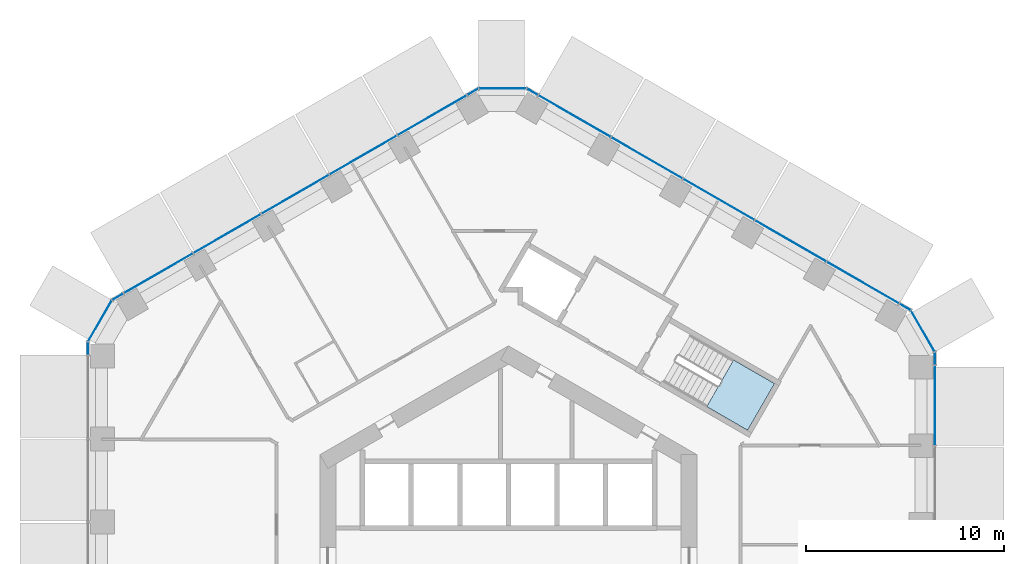
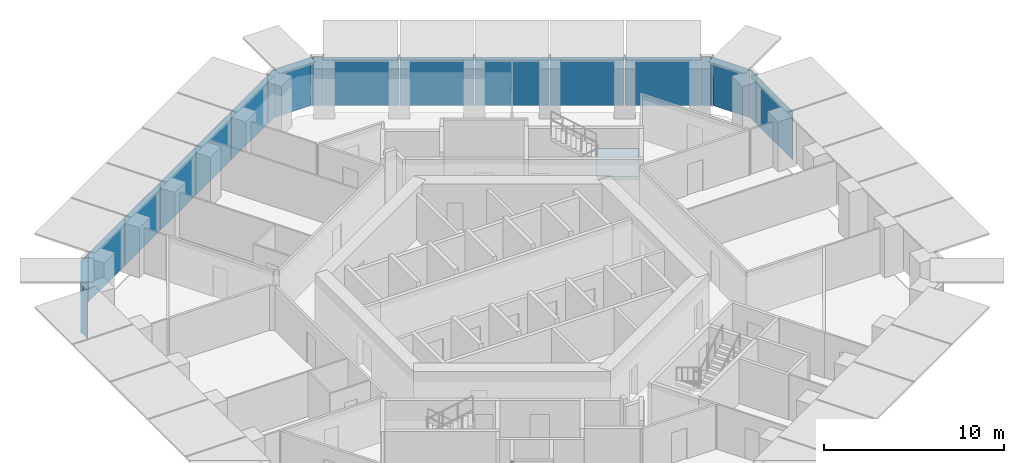
# One storey, part 11 of 19: 20 plates, 1 slab, 7 elements without a shape of their own.
"""IFC4 building model written with IfcOpenShell, lengths in metres."""

from ifc_helpers import new_model, si_unit, direction, frame, origin, origin_2d, place, context, subcontext, project, spatial, polyline, rectangle, outline, extrude, material, layer, layer_set, type_object, element, aggregate, save


model = new_model("IFC4")

# Units and contexts
model_context = context("Model", 3, precision=1e-05, world=origin(), true_north=direction((0.0, 1.0)))
body_context = subcontext(model_context, "Body", "Model", "MODEL_VIEW")
ifc_project = project(units=[si_unit("LENGTHUNIT", "METRE"), si_unit("AREAUNIT", "SQUARE_METRE"), si_unit("VOLUMEUNIT", "CUBIC_METRE"), si_unit("PLANEANGLEUNIT", "RADIAN"), si_unit("MASSUNIT", "GRAM", prefix="KILO")], contexts=[model_context])

# Site, building, storey
site_placement = place(None, origin())
site = spatial("IfcSite", under=ifc_project, at=site_placement, CompositionType="ELEMENT")
building_placement = place(site_placement, origin())
building = spatial("IfcBuilding", under=site, at=building_placement, Name="Ayvan Gate Tower", CompositionType="ELEMENT")
storey_placement = place(building_placement, frame((0.0, 0.0, 42.5)))
storey = spatial("IfcBuildingStorey", under=building, at=storey_placement, Name="L10", CompositionType="ELEMENT", Elevation=42.5)

# Stair, slab
ifc_material_1 = material(Name="Concrete C40/50", Category="concrete")
stair_type = type_object("IfcStairType", Name="ST-EXIT", PredefinedType="HALF_TURN_STAIR", material=ifc_material_1)
stair_placement = place(storey_placement, origin())
stair = element("IfcStair", 1, at=stair_placement, inside=storey, type_object=stair_type, Name="L10 Exit Stair S1", PredefinedType="HALF_TURN_STAIR")
ifc_layer_1 = layer(ifc_material_1, 0.199951171875)
ifc_layer_set_1 = layer_set([ifc_layer_1], Name="Concrete C40/50")
slab_type = type_object("IfcSlabType", Name="SL-LANDING-200", PredefinedType="LANDING", material=ifc_layer_set_1)
slab_placement = place(storey_placement, frame((0.0, 0.0, 1.5)))
slab = element("IfcSlab", 2, at=slab_placement, type_object=slab_type, Name="STS1 landing 1", PredefinedType="LANDING", context=body_context, shape_type="SweptSolid", body=[
    extrude(outline(polyline([(9.988525390625, 7.91064453125), (12.049560546875, 6.720458984375), (13.404541015625, 9.0673828125), (11.343505859375, 10.257568359375), (9.988525390625, 7.91064453125)])), origin(), (0.0, 0.0, 1.0), 0.199951171875),
])
aggregate(stair, [slab])

# Curtain wall, plates
ifc_material_2 = material(Name="Bronze anodised aluminium", Category="aluminium")
ifc_layer_2 = layer(ifc_material_2, 0.199951171875)
ifc_layer_set_2 = layer_set([ifc_layer_2], Name="Bronze anodised aluminium")
curtain_wall_type_1 = type_object("IfcCurtainWallType", Name="Stick curtain wall CW-1", PredefinedType="NOTDEFINED", material=ifc_layer_set_2)
curtain_wall_1_placement = place(storey_placement, origin())
curtain_wall_1 = element("IfcCurtainWall", 3, at=curtain_wall_1_placement, inside=storey, type_object=curtain_wall_type_1, Name="Stick curtain wall CW-1 L10", PredefinedType="NOTDEFINED")
ifc_material_3 = material(Name="Clear low-iron laminated glass", Category="glass")
ifc_layer_3 = layer(ifc_material_3, 0.028076171875)
ifc_layer_set_3 = layer_set([ifc_layer_3], Name="Clear low-iron laminated glass")
plate_type_1 = type_object("IfcPlateType", Name="Stick curtain wall CW-1 glass panel", PredefinedType="CURTAIN_PANEL", material=ifc_layer_set_3)
plate_1_placement = place(storey_placement, frame((-3.8349609375, 22.59423828125, 0.0), z_axis=(0.0, 0.0, 1.0), x_axis=(-0.866025403784, -0.5, 0.0)))
plate_1 = element("IfcPlate", 4, at=plate_1_placement, type_object=plate_type_1, Name="CW-1 glass panel 1", PredefinedType="CURTAIN_PANEL", context=body_context, shape_type="SweptSolid", body=[
    extrude(rectangle(XDim=4.02294921875, YDim=0.028076171875, at=origin_2d()), origin(), (0.0, 0.0, 1.0), 3.280029296875),
])
plate_2_placement = place(storey_placement, frame((-7.31591796875, 20.58447265625, 0.0), z_axis=(0.0, 0.0, 1.0), x_axis=(-0.866025403784, -0.5, 0.0)))
plate_2 = element("IfcPlate", 5, at=plate_2_placement, type_object=plate_type_1, Name="CW-1 glass panel 2", PredefinedType="CURTAIN_PANEL", context=body_context, shape_type="SweptSolid", body=[
    extrude(rectangle(XDim=3.89599609375, YDim=0.028076171875, at=origin_2d()), origin(), (0.0, 0.0, 1.0), 3.280029296875),
])
plate_3_placement = place(storey_placement, frame((-10.742431640625, 18.606201171875, 0.0), z_axis=(0.0, 0.0, 1.0), x_axis=(-0.866025403784, -0.5, 0.0)))
plate_3 = element("IfcPlate", 6, at=plate_3_placement, type_object=plate_type_1, Name="CW-1 glass panel 3", PredefinedType="CURTAIN_PANEL", context=body_context, shape_type="SweptSolid", body=[
    extrude(rectangle(XDim=3.89697265625, YDim=0.028076171875, at=origin_2d()), origin(), (0.0, 0.0, 1.0), 3.280029296875),
])
plate_4_placement = place(storey_placement, frame((-14.168701171875, 16.6279296875, 0.0), z_axis=(0.0, 0.0, 1.0), x_axis=(-0.866025403784, -0.5, 0.0)))
plate_4 = element("IfcPlate", 7, at=plate_4_placement, type_object=plate_type_1, Name="CW-1 glass panel 4", PredefinedType="CURTAIN_PANEL", context=body_context, shape_type="SweptSolid", body=[
    extrude(rectangle(XDim=3.89599609375, YDim=0.028076171875, at=origin_2d()), origin(), (0.0, 0.0, 1.0), 3.280029296875),
])
plate_5_placement = place(storey_placement, frame((-17.649658203125, 14.6181640625, 0.0), z_axis=(0.0, 0.0, 1.0), x_axis=(-0.866025403784, -0.5, 0.0)))
plate_5 = element("IfcPlate", 8, at=plate_5_placement, type_object=plate_type_1, Name="CW-1 glass panel 5", PredefinedType="CURTAIN_PANEL", context=body_context, shape_type="SweptSolid", body=[
    extrude(rectangle(XDim=4.02294921875, YDim=0.028076171875, at=origin_2d()), origin(), (0.0, 0.0, 1.0), 3.280029296875),
])
aggregate(curtain_wall_1, [plate_1, plate_2, plate_3, plate_4, plate_5])

# Curtain wall, plate
curtain_wall_2_placement = place(storey_placement, origin())
curtain_wall_2 = element("IfcCurtainWall", 9, at=curtain_wall_2_placement, inside=storey, type_object=curtain_wall_type_1, Name="Stick curtain wall CW-1 L10", PredefinedType="NOTDEFINED")
plate_6_placement = place(storey_placement, frame((21.484619140625, 7.97607421875, 0.0), z_axis=(0.0, 0.0, 1.0), x_axis=(0.0, 1.0, 0.0)))
plate_6 = element("IfcPlate", 10, at=plate_6_placement, type_object=plate_type_1, Name="CW-1 glass panel 5", PredefinedType="CURTAIN_PANEL", context=body_context, shape_type="SweptSolid", body=[
    extrude(rectangle(XDim=4.02294921875, YDim=0.028076171875, at=origin_2d()), origin(), (0.0, 0.0, 1.0), 3.280029296875),
])
aggregate(curtain_wall_2, [plate_6])

# Curtain wall, plates
curtain_wall_3_placement = place(storey_placement, origin())
curtain_wall_3 = element("IfcCurtainWall", 11, at=curtain_wall_3_placement, inside=storey, type_object=curtain_wall_type_1, Name="Stick curtain wall CW-1 L10", PredefinedType="NOTDEFINED")
plate_7_placement = place(storey_placement, frame((17.87060546875, 14.14794921875, 0.0), z_axis=(0.0, 0.0, 1.0), x_axis=(-0.866025403784, 0.5, 0.0)))
plate_7 = element("IfcPlate", 12, at=plate_7_placement, type_object=plate_type_1, Name="CW-1 glass panel 1", PredefinedType="CURTAIN_PANEL", context=body_context, shape_type="SweptSolid", body=[
    extrude(rectangle(XDim=4.197998046875, YDim=0.028076171875, at=origin_2d()), origin(), (0.0, 0.0, 1.0), 3.280029296875),
])
plate_8_placement = place(storey_placement, frame((14.216064453125, 16.258056640625, 0.0), z_axis=(0.0, 0.0, 1.0), x_axis=(-0.866025403784, 0.5, 0.0)))
plate_8 = element("IfcPlate", 13, at=plate_8_placement, type_object=plate_type_1, Name="CW-1 glass panel 2", PredefinedType="CURTAIN_PANEL", context=body_context, shape_type="SweptSolid", body=[
    extrude(rectangle(XDim=4.1220703125, YDim=0.028076171875, at=origin_2d()), origin(), (0.0, 0.0, 1.0), 3.280029296875),
])
plate_9_placement = place(storey_placement, frame((10.593994140625, 18.349365234375, 0.0), z_axis=(0.0, 0.0, 1.0), x_axis=(-0.866025403784, 0.5, 0.0)))
plate_9 = element("IfcPlate", 14, at=plate_9_placement, type_object=plate_type_1, Name="CW-1 glass panel 3", PredefinedType="CURTAIN_PANEL", context=body_context, shape_type="SweptSolid", body=[
    extrude(rectangle(XDim=4.123046875, YDim=0.028076171875, at=origin_2d()), origin(), (0.0, 0.0, 1.0), 3.280029296875),
])
plate_10_placement = place(storey_placement, frame((6.9716796875, 20.4404296875, 0.0), z_axis=(0.0, 0.0, 1.0), x_axis=(-0.866025403784, 0.5, 0.0)))
plate_10 = element("IfcPlate", 15, at=plate_10_placement, type_object=plate_type_1, Name="CW-1 glass panel 4", PredefinedType="CURTAIN_PANEL", context=body_context, shape_type="SweptSolid", body=[
    extrude(rectangle(XDim=4.1220703125, YDim=0.028076171875, at=origin_2d()), origin(), (0.0, 0.0, 1.0), 3.280029296875),
])
plate_11_placement = place(storey_placement, frame((3.317138671875, 22.550537109375, 0.0), z_axis=(0.0, 0.0, 1.0), x_axis=(-0.866025403784, 0.5, 0.0)))
plate_11 = element("IfcPlate", 16, at=plate_11_placement, type_object=plate_type_1, Name="CW-1 glass panel 5", PredefinedType="CURTAIN_PANEL", context=body_context, shape_type="SweptSolid", body=[
    extrude(rectangle(XDim=4.19775390625, YDim=0.028076171875, at=origin_2d()), origin(), (0.0, 0.0, 1.0), 3.280029296875),
])
aggregate(curtain_wall_3, [plate_7, plate_8, plate_9, plate_10, plate_11])

ifc_layer_4 = layer(ifc_material_2, 0.199951171875)
ifc_layer_set_4 = layer_set([ifc_layer_4], Name="Bronze anodised aluminium")
curtain_wall_type_2 = type_object("IfcCurtainWallType", Name="Stick curtain wall CW-6", PredefinedType="NOTDEFINED", material=ifc_layer_set_4)
curtain_wall_4_placement = place(storey_placement, origin())
curtain_wall_4 = element("IfcCurtainWall", 17, at=curtain_wall_4_placement, inside=storey, type_object=curtain_wall_type_2, Name="Stick curtain wall CW-6 L10", PredefinedType="NOTDEFINED")
ifc_layer_5 = layer(ifc_material_3, 0.028076171875)
ifc_layer_set_5 = layer_set([ifc_layer_5], Name="Clear low-iron laminated glass")
plate_type_2 = type_object("IfcPlateType", Name="Stick curtain wall CW-6 glass panel", PredefinedType="CURTAIN_PANEL", material=ifc_layer_set_5)
plate_12_placement = place(storey_placement, frame((-19.688232421875, 13.441162109375, 0.0), z_axis=(0.0, 0.0, 1.0), x_axis=(-0.866025403784, -0.5, 0.0)))
plate_12 = element("IfcPlate", 18, at=plate_12_placement, type_object=plate_type_2, Name="CW-6 glass panel 1", PredefinedType="CURTAIN_PANEL", context=body_context, shape_type="SweptSolid", body=[
    extrude(rectangle(XDim=0.625, YDim=0.028076171875, at=origin_2d()), origin(), (0.0, 0.0, 1.0), 3.280029296875),
])
plate_13_placement = place(storey_placement, frame((-20.584228515625, 12.22705078125, 0.0), z_axis=(0.0, 0.0, 1.0), x_axis=(-0.5, -0.866025403784, 0.0)))
plate_13 = element("IfcPlate", 19, at=plate_13_placement, type_object=plate_type_2, Name="CW-6 glass panel 2", PredefinedType="CURTAIN_PANEL", context=body_context, shape_type="SweptSolid", body=[
    extrude(rectangle(XDim=2.364501953125, YDim=0.028076171875, at=origin_2d()), origin(), (0.0, 0.0, 1.0), 3.280029296875),
])
plate_14_placement = place(storey_placement, frame((-21.18798828125, 10.843994140625, 0.0), z_axis=(0.0, 0.0, 1.0), x_axis=(0.0, -1.0, 0.0)))
plate_14 = element("IfcPlate", 20, at=plate_14_placement, type_object=plate_type_2, Name="CW-6 glass panel 3", PredefinedType="CURTAIN_PANEL", context=body_context, shape_type="SweptSolid", body=[
    extrude(rectangle(XDim=0.625, YDim=0.028076171875, at=origin_2d()), origin(), (0.0, 0.0, 1.0), 3.280029296875),
])
aggregate(curtain_wall_4, [plate_12, plate_13, plate_14])

curtain_wall_5_placement = place(storey_placement, origin())
curtain_wall_5 = element("IfcCurtainWall", 21, at=curtain_wall_5_placement, inside=storey, type_object=curtain_wall_type_2, Name="Stick curtain wall CW-6 L10", PredefinedType="NOTDEFINED")
plate_15_placement = place(storey_placement, frame((21.484619140625, 10.330078125, 0.0), z_axis=(0.0, 0.0, 1.0), x_axis=(0.0, 1.0, 0.0)))
plate_15 = element("IfcPlate", 22, at=plate_15_placement, type_object=plate_type_2, Name="CW-6 glass panel 1", PredefinedType="CURTAIN_PANEL", context=body_context, shape_type="SweptSolid", body=[
    extrude(rectangle(XDim=0.625, YDim=0.028076171875, at=origin_2d()), origin(), (0.0, 0.0, 1.0), 3.280029296875),
])
plate_16_placement = place(storey_placement, frame((20.880859375, 11.712890625, 0.0), z_axis=(0.0, 0.0, 1.0), x_axis=(-0.5, 0.866025403784, 0.0)))
plate_16 = element("IfcPlate", 23, at=plate_16_placement, type_object=plate_type_2, Name="CW-6 glass panel 2", PredefinedType="CURTAIN_PANEL", context=body_context, shape_type="SweptSolid", body=[
    extrude(rectangle(XDim=2.364501953125, YDim=0.028076171875, at=origin_2d()), origin(), (0.0, 0.0, 1.0), 3.280029296875),
])
plate_17_placement = place(storey_placement, frame((19.985107421875, 12.92724609375, 0.0), z_axis=(0.0, 0.0, 1.0), x_axis=(-0.866025403784, 0.5, 0.0)))
plate_17 = element("IfcPlate", 24, at=plate_17_placement, type_object=plate_type_2, Name="CW-6 glass panel 3", PredefinedType="CURTAIN_PANEL", context=body_context, shape_type="SweptSolid", body=[
    extrude(rectangle(XDim=0.625, YDim=0.028076171875, at=origin_2d()), origin(), (0.0, 0.0, 1.0), 3.280029296875),
])
aggregate(curtain_wall_5, [plate_15, plate_16, plate_17])

curtain_wall_6_placement = place(storey_placement, origin())
curtain_wall_6 = element("IfcCurtainWall", 25, at=curtain_wall_6_placement, inside=storey, type_object=curtain_wall_type_2, Name="Stick curtain wall CW-6 L10", PredefinedType="NOTDEFINED")
plate_18_placement = place(storey_placement, frame((1.202880859375, 23.771240234375, 0.0), z_axis=(0.0, 0.0, 1.0), x_axis=(-0.866025403784, 0.5, 0.0)))
plate_18 = element("IfcPlate", 26, at=plate_18_placement, type_object=plate_type_2, Name="CW-6 glass panel 1", PredefinedType="CURTAIN_PANEL", context=body_context, shape_type="SweptSolid", body=[
    extrude(rectangle(XDim=0.625, YDim=0.028076171875, at=origin_2d()), origin(), (0.0, 0.0, 1.0), 3.280029296875),
])
plate_19_placement = place(storey_placement, frame((-0.296630859375, 23.93994140625, 0.0), z_axis=(0.0, 0.0, 1.0), x_axis=(-1.0, 0.0, 0.0)))
plate_19 = element("IfcPlate", 27, at=plate_19_placement, type_object=plate_type_2, Name="CW-6 glass panel 2", PredefinedType="CURTAIN_PANEL", context=body_context, shape_type="SweptSolid", body=[
    extrude(rectangle(XDim=2.364501953125, YDim=0.028076171875, at=origin_2d()), origin(), (0.0, 0.0, 1.0), 3.280029296875),
])
plate_20_placement = place(storey_placement, frame((-1.79638671875, 23.771240234375, 0.0), z_axis=(0.0, 0.0, 1.0), x_axis=(-0.866025403784, -0.5, 0.0)))
plate_20 = element("IfcPlate", 28, at=plate_20_placement, type_object=plate_type_2, Name="CW-6 glass panel 3", PredefinedType="CURTAIN_PANEL", context=body_context, shape_type="SweptSolid", body=[
    extrude(rectangle(XDim=0.625, YDim=0.028076171875, at=origin_2d()), origin(), (0.0, 0.0, 1.0), 3.280029296875),
])
aggregate(curtain_wall_6, [plate_18, plate_19, plate_20])

save(model, "model.ifc")
